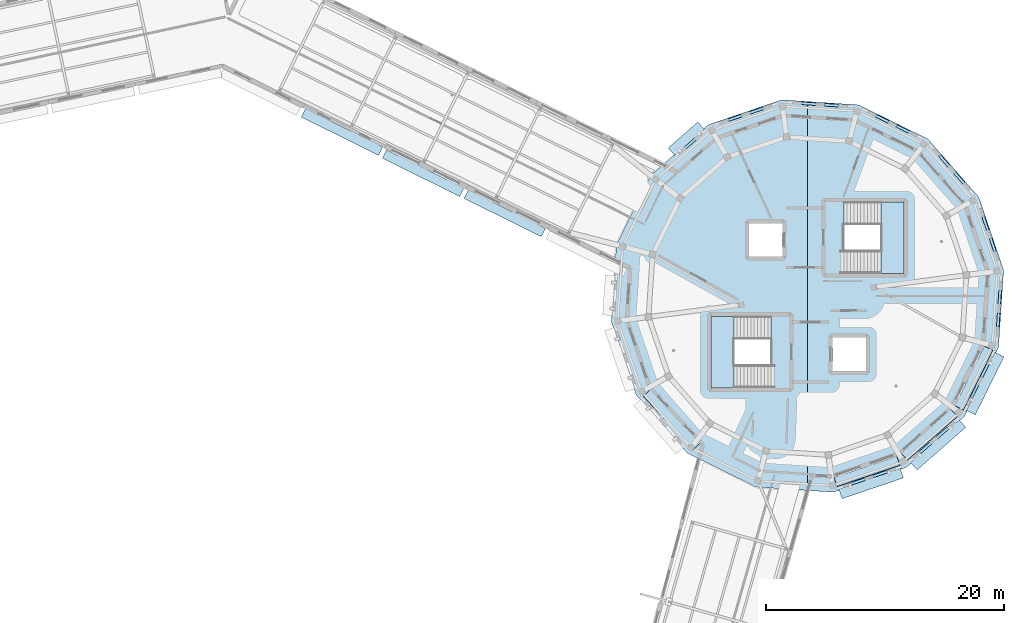
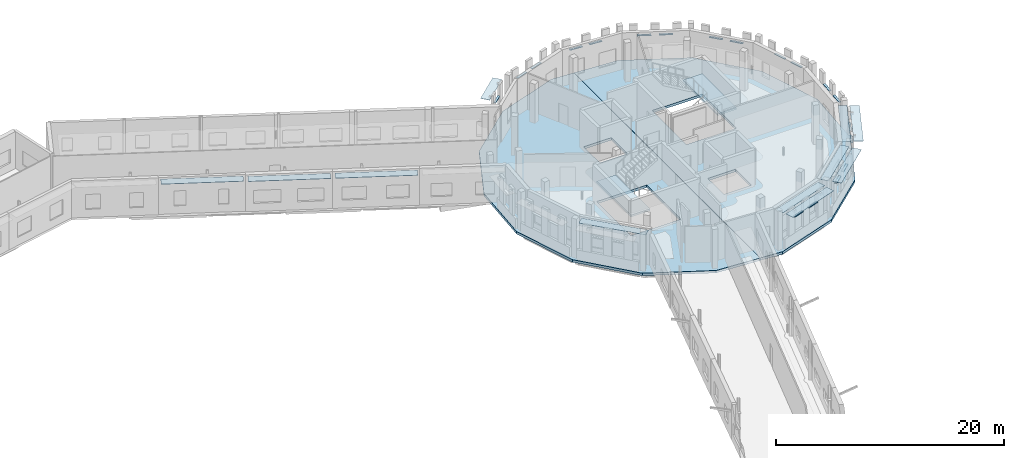
# One storey, part 36 of 90: 30 plates, 4 slabs, 2 elements without a shape of their own.
"""IFC4 building model written with IfcOpenShell, lengths in metres."""

import ifcopenshell
import ifcopenshell.guid

model = None  # the IFC model being written
_history = None  # IfcOwnerHistory: only IFC2X3 demands one
_inside = {}  # id of a spatial element -> (the spatial element, [elements in it])
_under = {}  # id of a project, library or spatial element -> (it, [spatial elements below it])
_declared = {}  # id of a project -> (the project, [libraries it declares])
_typed = {}  # id of a type object -> (the type object, [elements of that type])
_made_of = {}  # id of a material, layer set ... -> (it, [elements and type objects made of it])


def new_model(schema):
    """Start an empty IFC model of exactly this schema.

    Asked for "IFC4X3", IfcOpenShell would pick the latest addendum, in which some entities
    have other attributes; the version numbers below select the first issue.
    IFC2X3 requires an IfcOwnerHistory on every rooted entity: one is made here for all.
    """
    global model, _history
    if schema == "IFC4X3":
        model = ifcopenshell.file(schema_version=(4, 3, 0, 0))
    else:
        model = ifcopenshell.file(schema=schema)
    _inside.clear()
    _under.clear()
    _declared.clear()
    _typed.clear()
    _made_of.clear()
    _history = None
    if model.schema == "IFC2X3":
        org = make("IfcOrganization", Name="unknown")
        user = make(
            "IfcPersonAndOrganization",
            ThePerson=make("IfcPerson", FamilyName="unknown"),
            TheOrganization=org,
        )
        app = make(
            "IfcApplication",
            ApplicationDeveloper=org,
            Version="unknown",
            ApplicationFullName="unknown",
            ApplicationIdentifier="unknown",
        )
        _history = make(
            "IfcOwnerHistory",
            OwningUser=user,
            OwningApplication=app,
            ChangeAction="ADDED",
            CreationDate=0,
        )
    return model


def make(cls, **values):
    """One entity of the class cls with the attributes given. An attribute that is None is left unset."""
    return model.create_entity(
        cls, **{name: value for name, value in values.items() if value is not None}
    )


def rooted(cls, **values):
    """An entity with a GlobalId (a new one), such as an element, a storey or a relation."""
    return make(cls, GlobalId=ifcopenshell.guid.new(), OwnerHistory=_history, **values)


def si_unit(unit_type, name, prefix=None):
    """IfcSIUnit, for example si_unit("LENGTHUNIT", "METRE", prefix="MILLI")."""
    return make("IfcSIUnit", UnitType=unit_type, Prefix=prefix, Name=name)


def assignment(units):
    """IfcUnitAssignment: the units of a project."""
    return None if units is None else make("IfcUnitAssignment", Units=units)


def point(xyz):
    """IfcCartesianPoint."""
    return None if xyz is None else make("IfcCartesianPoint", Coordinates=xyz)


def direction(xyz):
    """IfcDirection."""
    return None if xyz is None else make("IfcDirection", DirectionRatios=xyz)


def frame(location, z_axis=None, x_axis=None):
    """IfcAxis2Placement3D, a coordinate frame: its origin and axes. An axis left out is left unset."""
    return make(
        "IfcAxis2Placement3D",
        Location=point(location),
        Axis=direction(z_axis),
        RefDirection=direction(x_axis),
    )


def frame_2d(location, x_axis=None):
    """IfcAxis2Placement2D, a coordinate frame in the plane: its origin and x axis."""
    return make(
        "IfcAxis2Placement2D", Location=point(location), RefDirection=direction(x_axis)
    )


def origin():
    """The frame at (0, 0, 0) with its axes left unset."""
    return frame((0.0, 0.0, 0.0))


def origin_2d():
    """The frame at (0, 0) in the plane with its x axis left unset."""
    return frame_2d((0.0, 0.0))


def place(relative_to, where):
    """IfcLocalPlacement: puts the frame where relative to a parent placement (None: the world)."""
    return make(
        "IfcLocalPlacement", PlacementRelTo=relative_to, RelativePlacement=where
    )


def context(
    kind, dimensions, precision=None, world=None, true_north=None, identifier=None
):
    """IfcGeometricRepresentationContext, for example the 3D "Model" context."""
    return make(
        "IfcGeometricRepresentationContext",
        ContextIdentifier=identifier,
        ContextType=kind,
        CoordinateSpaceDimension=dimensions,
        Precision=precision,
        WorldCoordinateSystem=world,
        TrueNorth=true_north,
    )


def subcontext(parent, identifier, kind, view, scale=None):
    """IfcGeometricRepresentationSubContext, for example "Body" below "Model"."""
    return make(
        "IfcGeometricRepresentationSubContext",
        ContextIdentifier=identifier,
        ContextType=kind,
        ParentContext=parent,
        TargetScale=scale,
        TargetView=view,
    )


def project(units=None, contexts=None):
    """IfcProject with its units and contexts."""
    return rooted(
        "IfcProject",
        Name="project",
        RepresentationContexts=contexts,
        UnitsInContext=assignment(units),
    )


def spatial(cls, under=None, at=None, **own):
    """A site, building, storey or space (cls), placed at a placement, below another one or the project."""
    s = rooted(cls, ObjectPlacement=at, **own)
    if under is not None:
        _under.setdefault(under.id(), (under, []))[1].append(s)
    return s


def polyline(points):
    """IfcPolyline through the points."""
    return make("IfcPolyline", Points=[point(p) for p in points])


def profile(cls, at=None, kind="AREA", **sizes):
    """A parametric profile (cls). Its sizes go by their IFC names, for example OverallWidth=200.0."""
    return make(cls, ProfileType=kind, Position=at, **sizes)


def rectangle(**sizes):
    """IfcRectangleProfileDef."""
    return profile("IfcRectangleProfileDef", **sizes)


def outline(outer, holes=None, kind="AREA"):
    """IfcArbitraryClosedProfileDef: a profile drawn as a closed curve; with holes, ...WithVoids."""
    if holes is None:
        return make("IfcArbitraryClosedProfileDef", ProfileType=kind, OuterCurve=outer)
    return make(
        "IfcArbitraryProfileDefWithVoids",
        ProfileType=kind,
        OuterCurve=outer,
        InnerCurves=holes,
    )


def extrude(swept, where, along, depth):
    """IfcExtrudedAreaSolid: the profile swept, set in the frame where, extruded along a direction by depth."""
    return make(
        "IfcExtrudedAreaSolid",
        SweptArea=swept,
        Position=where,
        ExtrudedDirection=direction(along),
        Depth=depth,
    )


def shape(context_of_items, identifier, shape_type, items):
    """IfcShapeRepresentation: the items that make up one representation, for example the "Body"."""
    return make(
        "IfcShapeRepresentation",
        ContextOfItems=context_of_items,
        RepresentationIdentifier=identifier,
        RepresentationType=shape_type,
        Items=items,
    )


def material(Name=None, Category=None):
    """IfcMaterial."""
    return make("IfcMaterial", Name=Name, Category=Category)


def layer(
    of_material, thickness, ventilated=None, Name=None, Category=None, Priority=None
):
    """IfcMaterialLayer: one layer of a wall or slab, of a material (None: an air gap)."""
    return make(
        "IfcMaterialLayer",
        Material=of_material,
        LayerThickness=thickness,
        IsVentilated=ventilated,
        Name=Name,
        Category=Category,
        Priority=Priority,
    )


def layer_set(layers, Name=None):
    """IfcMaterialLayerSet."""
    return make("IfcMaterialLayerSet", MaterialLayers=layers, LayerSetName=Name)


def made_of(thing, what):
    """Note that an element or type object is made of a material, layer set ...; save() writes the relation."""
    if what is not None:
        _made_of.setdefault(what.id(), (what, []))[1].append(thing)
    return thing


def type_object(cls, material=None, **own):
    """A type object (cls), such as IfcWallType, which elements share."""
    return made_of(rooted(cls, **own), material)


def element(
    cls,
    number,
    at=None,
    inside=None,
    cuts=None,
    type_object=None,
    material=None,
    context=None,
    identifier="Body",
    shape_type=None,
    held_by="IfcProductDefinitionShape",
    body=None,
    shapes=None,
    **own,
):
    """One element of the class cls, such as IfcWall. Its Tag is "e" and its number.

    at: its placement. inside: the storey or other place that contains it. cuts: it is an
    opening in that element (IfcRelVoidsElement). A single representation is given by context,
    identifier, shape_type and body (its items); several are given by shapes. held_by: the class
    of the entity that holds the representations. save() writes the other relations.
    """
    e = rooted(cls, Tag="e%d" % number, ObjectPlacement=at, **own)
    if body is not None:
        shapes = [shape(context, identifier, shape_type, body)]
    if shapes is not None:
        e.Representation = make(held_by, Representations=shapes)
    if inside is not None:
        _inside.setdefault(inside.id(), (inside, []))[1].append(e)
    if cuts is not None:
        rooted(
            "IfcRelVoidsElement", RelatingBuildingElement=cuts, RelatedOpeningElement=e
        )
    if type_object is not None:
        _typed.setdefault(type_object.id(), (type_object, []))[1].append(e)
    return made_of(e, material)


def aggregate(whole, parts):
    """IfcRelAggregates: a whole, such as a stair, and the parts it consists of."""
    return rooted("IfcRelAggregates", RelatingObject=whole, RelatedObjects=parts)


def save(model, path):
    """Write the relations noted so far, then the file.

    IfcRelAggregates (storeys below a building ...), IfcRelContainedInSpatialStructure (elements
    in a storey), IfcRelDefinesByType, IfcRelAssociatesMaterial and IfcRelDeclares: one each for
    every whole, place, type object, material and project.
    """
    for whole, parts in _under.values():
        aggregate(whole, parts)
    for where, things in _inside.values():
        rooted(
            "IfcRelContainedInSpatialStructure",
            RelatedElements=things,
            RelatingStructure=where,
        )
    for kind, things in _typed.values():
        rooted("IfcRelDefinesByType", RelatedObjects=things, RelatingType=kind)
    for what, things in _made_of.values():
        rooted("IfcRelAssociatesMaterial", RelatedObjects=things, RelatingMaterial=what)
    for by, libraries in _declared.values():
        rooted("IfcRelDeclares", RelatingContext=by, RelatedDefinitions=libraries)
    model.write(path)


model = new_model("IFC4")

# Units and contexts
model_context = context("Model", 3, precision=1e-05, world=origin(), true_north=direction((0.0, 1.0)))
body_context = subcontext(model_context, "Body", "Model", "MODEL_VIEW")
ifc_project = project(units=[si_unit("LENGTHUNIT", "METRE"), si_unit("AREAUNIT", "SQUARE_METRE"), si_unit("VOLUMEUNIT", "CUBIC_METRE"), si_unit("PLANEANGLEUNIT", "RADIAN"), si_unit("MASSUNIT", "GRAM", prefix="KILO")], contexts=[model_context])

# Site, building, storey
site_placement = place(None, origin())
site = spatial("IfcSite", under=ifc_project, at=site_placement, CompositionType="ELEMENT")
building_placement = place(site_placement, origin())
building = spatial("IfcBuilding", under=site, at=building_placement, Name="Wrenclough Park School", CompositionType="ELEMENT")
storey_placement = place(building_placement, frame((0.0, 0.0, 8.39990234375)))
storey = spatial("IfcBuildingStorey", under=building, at=storey_placement, Name="L02", CompositionType="ELEMENT", Elevation=8.39990234375)

# Plates
ifc_material_1 = material(Name="Anodised architectural aluminium solar shading fin plate", Category="aluminium")
ifc_layer_1 = layer(ifc_material_1, 0.0380859375)
ifc_layer_set_1 = layer_set([ifc_layer_1], Name="Anodised architectural aluminium solar shading fin plate")
plate_type = type_object("IfcPlateType", Name="ENV-PL-BSF", PredefinedType="SHEET", material=ifc_layer_set_1)
for number, where, z_axis, x_axis, name in (
    (1, (190.0537109375, 97.770751953125, 2.72216796875), (0.0, 0.0, 1.0), (-0.321440769485, 0.946929686784, 0.0), "D5 L02 open-bond brick screen tie band 0433"),
    (2, (189.439453125, 99.580078125, 2.72216796875), (0.0, 0.0, 1.0), (-0.321440769485, 0.946929686784, 0.0), "D5 L02 open-bond brick screen tie band 0434"),
    (3, (187.235595703125, 103.397705078125, 2.72216796875), (0.0, 0.0, 1.0), (-0.659344063222, 0.751841343831, 0.0), "D5 L02 open-bond brick screen tie band 0435"),
    (4, (185.9755859375, 104.833984375, 2.72216796875), (0.0, 0.0, 1.0), (-0.659344063222, 0.751841343831, 0.0), "D5 L02 open-bond brick screen tie band 0436"),
):
    element("IfcPlate", number, at=place(storey_placement, frame(where, z_axis=z_axis, x_axis=x_axis)), inside=storey, type_object=plate_type, Name=name, PredefinedType="SHEET", context=body_context, shape_type="SweptSolid", body=[
        extrude(rectangle(XDim=1.20068359375, YDim=0.219970703125, at=origin_2d()), origin(), (0.0, 0.0, 1.0), 0.0419921875),
    ])
for number, where, z_axis, x_axis, name in (
    (5, (182.478515625, 107.517822265625, 2.72216796875), (0.0, 0.0, 1.0), (-0.896873145411, 0.442287871234, 0.0), "D5 L02 open-bond brick screen tie band 0437"),
    (6, (180.7646484375, 108.363037109375, 2.72216796875), (0.0, 0.0, 1.0), (-0.896873145411, 0.442287871234, 0.0), "D5 L02 open-bond brick screen tie band 0438"),
):
    element("IfcPlate", number, at=place(storey_placement, frame(where, z_axis=z_axis, x_axis=x_axis)), inside=storey, type_object=plate_type, Name=name, PredefinedType="SHEET", context=body_context, shape_type="SweptSolid", body=[
        extrude(rectangle(XDim=1.200927734375, YDim=0.219970703125, at=origin_2d()), origin(), (0.0, 0.0, 1.0), 0.0419921875),
    ])
for number, where, z_axis, x_axis, name in (
    (7, (176.50634765625, 109.504150390625, 2.72216796875), (0.0, 0.0, 1.0), (-0.997858031898, 0.065416727037, 0.0), "D5 L02 open-bond brick screen tie band 0439"),
    (8, (174.599609375, 109.629150390625, 2.72216796875), (0.0, 0.0, 1.0), (-0.997858031898, 0.065416727037, 0.0), "D5 L02 open-bond brick screen tie band 0440"),
    (9, (170.229248046875, 109.0537109375, 2.72216796875), (0.0, 0.0, 1.0), (-0.946929686784, -0.321440769485, 0.0), "D5 L02 open-bond brick screen tie band 0441"),
    (10, (168.419921875, 108.439453125, 2.72216796875), (0.0, 0.0, 1.0), (-0.946929686784, -0.321440769485, 0.0), "D5 L02 open-bond brick screen tie band 0442"),
):
    element("IfcPlate", number, at=place(storey_placement, frame(where, z_axis=z_axis, x_axis=x_axis)), inside=storey, type_object=plate_type, Name=name, PredefinedType="SHEET", context=body_context, shape_type="SweptSolid", body=[
        extrude(rectangle(XDim=1.20068359375, YDim=0.219970703125, at=origin_2d()), origin(), (0.0, 0.0, 1.0), 0.0419921875),
    ])
plate_1_placement = place(storey_placement, frame((164.680419921875, 106.3037109375, 2.72216796875), z_axis=(0.0, 0.0, 1.0), x_axis=(-0.751840924352, -0.659344541549, 0.0)))
element("IfcPlate", 11, at=plate_1_placement, inside=storey, type_object=plate_type, Name="D5 L02 open-bond brick screen tie band 0443", PredefinedType="SHEET", context=body_context, shape_type="SweptSolid", body=[
    extrude(rectangle(XDim=1.09814453125, YDim=0.219970703125, at=origin_2d()), origin(), (0.0, 0.0, 1.0), 0.0419921875),
])
plate_2_placement = place(storey_placement, frame((164.339111328125, 106.69287109375, 3.701171875), z_axis=(0.0, 0.0, 1.0), x_axis=(-0.751840924352, -0.659344541549, 0.0)))
element("IfcPlate", 12, at=plate_2_placement, inside=storey, type_object=plate_type, Name="D5 L02 sun-side projecting brise-soleil blade 0072", PredefinedType="SHEET", context=body_context, shape_type="SweptSolid", body=[
    extrude(rectangle(XDim=3.314208984375, YDim=0.85009765625, at=origin_2d()), origin(), (0.0, 0.0, 1.0), 0.0380859375),
])
for number, where, z_axis, x_axis, name in (
    (13, (178.770751953125, 77.9462890625, 2.72216796875), (0.0, 0.0, 1.0), (0.946929686784, 0.321440769485, 0.0), "D5 L02 open-bond brick screen tie band 0449"),
    (14, (180.580078125, 78.560546875, 2.72216796875), (0.0, 0.0, 1.0), (0.946929686784, 0.321440769485, 0.0), "D5 L02 open-bond brick screen tie band 0450"),
):
    element("IfcPlate", number, at=place(storey_placement, frame(where, z_axis=z_axis, x_axis=x_axis)), inside=storey, type_object=plate_type, Name=name, PredefinedType="SHEET", context=body_context, shape_type="SweptSolid", body=[
        extrude(rectangle(XDim=1.20068359375, YDim=0.219970703125, at=origin_2d()), origin(), (0.0, 0.0, 1.0), 0.0419921875),
    ])
plate_3_placement = place(storey_placement, frame((179.841796875, 77.763427734375, 3.701171875), z_axis=(0.0, 0.0, 1.0), x_axis=(0.946929686784, 0.321440769485, 0.0)))
element("IfcPlate", 15, at=plate_3_placement, inside=storey, type_object=plate_type, Name="D5 L02 sun-side projecting brise-soleil blade 0076", PredefinedType="SHEET", context=body_context, shape_type="SweptSolid", body=[
    extrude(rectangle(XDim=5.432373046875, YDim=0.85009765625, at=origin_2d()), origin(), (0.0, 0.0, 1.0), 0.0380859375),
])
for number, where, z_axis, x_axis, name in (
    (16, (184.397705078125, 80.764404296875, 2.72216796875), (0.0, 0.0, 1.0), (0.751841343831, 0.659344063222, 0.0), "D5 L02 open-bond brick screen tie band 0451"),
    (17, (185.833984375, 82.0244140625, 2.72216796875), (0.0, 0.0, 1.0), (0.751841343831, 0.659344063222, 0.0), "D5 L02 open-bond brick screen tie band 0452"),
):
    element("IfcPlate", number, at=place(storey_placement, frame(where, z_axis=z_axis, x_axis=x_axis)), inside=storey, type_object=plate_type, Name=name, PredefinedType="SHEET", context=body_context, shape_type="SweptSolid", body=[
        extrude(rectangle(XDim=1.20068359375, YDim=0.219970703125, at=origin_2d()), origin(), (0.0, 0.0, 1.0), 0.0419921875),
    ])
plate_4_placement = place(storey_placement, frame((185.45703125, 81.00537109375, 3.701171875), z_axis=(0.0, 0.0, 1.0), x_axis=(0.751841343831, 0.659344063222, 0.0)))
element("IfcPlate", 18, at=plate_4_placement, inside=storey, type_object=plate_type, Name="D5 L02 sun-side projecting brise-soleil blade 0077", PredefinedType="SHEET", context=body_context, shape_type="SweptSolid", body=[
    extrude(rectangle(XDim=5.43212890625, YDim=0.85009765625, at=origin_2d()), origin(), (0.0, 0.0, 1.0), 0.0380859375),
])
for number, where, z_axis, x_axis, name in (
    (19, (188.517822265625, 85.521484375, 2.72216796875), (0.0, 0.0, 1.0), (0.442287871234, 0.896873145411, 0.0), "D5 L02 open-bond brick screen tie band 0453"),
    (20, (189.363037109375, 87.2353515625, 2.72216796875), (0.0, 0.0, 1.0), (0.442287871234, 0.896873145411, 0.0), "D5 L02 open-bond brick screen tie band 0454"),
):
    element("IfcPlate", number, at=place(storey_placement, frame(where, z_axis=z_axis, x_axis=x_axis)), inside=storey, type_object=plate_type, Name=name, PredefinedType="SHEET", context=body_context, shape_type="SweptSolid", body=[
        extrude(rectangle(XDim=1.200927734375, YDim=0.219970703125, at=origin_2d()), origin(), (0.0, 0.0, 1.0), 0.0419921875),
    ])
plate_5_placement = place(storey_placement, frame((189.404541015625, 86.149658203125, 3.701171875), z_axis=(0.0, 0.0, 1.0), x_axis=(0.442287871234, 0.896873145411, 0.0)))
element("IfcPlate", 21, at=plate_5_placement, inside=storey, type_object=plate_type, Name="D5 L02 sun-side projecting brise-soleil blade 0078", PredefinedType="SHEET", context=body_context, shape_type="SweptSolid", body=[
    extrude(rectangle(XDim=5.432861328125, YDim=0.85009765625, at=origin_2d()), origin(), (0.0, 0.0, 1.0), 0.0380859375),
])
for number, where, z_axis, x_axis, name in (
    (22, (190.504150390625, 91.49365234375, 2.72216796875), (0.0, 0.0, 1.0), (0.065416727037, 0.997858031898, 0.0), "D5 L02 open-bond brick screen tie band 0455"),
    (23, (190.629150390625, 93.400390625, 2.72216796875), (0.0, 0.0, 1.0), (0.065416727037, 0.997858031898, 0.0), "D5 L02 open-bond brick screen tie band 0456"),
):
    element("IfcPlate", number, at=place(storey_placement, frame(where, z_axis=z_axis, x_axis=x_axis)), inside=storey, type_object=plate_type, Name=name, PredefinedType="SHEET", context=body_context, shape_type="SweptSolid", body=[
        extrude(rectangle(XDim=1.20068359375, YDim=0.219970703125, at=origin_2d()), origin(), (0.0, 0.0, 1.0), 0.0419921875),
    ])
plate_6_placement = place(storey_placement, frame((163.10498046875, 83.118408203125, 3.720947265625), z_axis=(0.0, 0.0, 1.0), x_axis=(-0.680216168057, 0.733011572019, 0.0)))
element("IfcPlate", 24, at=plate_6_placement, inside=storey, type_object=plate_type, Name="L02 link wing sun-side brise-soleil blade 0172", PredefinedType="SHEET", context=body_context, shape_type="SweptSolid", body=[
    extrude(rectangle(XDim=6.14794921875, YDim=0.800048828125, at=origin_2d()), origin(), (0.0, 0.0, 1.0), 0.0380859375),
])
plate_7_placement = place(storey_placement, frame((149.1142578125, 100.427490234375, 3.720947265625), z_axis=(0.0, 0.0, 1.0), x_axis=(-0.896270371992, 0.44350808368, 0.0)))
element("IfcPlate", 25, at=plate_7_placement, inside=storey, type_object=plate_type, Name="L02 link wing sun-side brise-soleil blade 0174", PredefinedType="SHEET", context=body_context, shape_type="SweptSolid", body=[
    extrude(rectangle(XDim=7.23974609375, YDim=0.800048828125, at=origin_2d()), origin(), (0.0, 0.0, 1.0), 0.0380859375),
])
plate_8_placement = place(storey_placement, frame((142.261474609375, 103.8046875, 3.720947265625), z_axis=(0.0, 0.0, 1.0), x_axis=(-0.896267743622, 0.443513395224, 0.0)))
element("IfcPlate", 26, at=plate_8_placement, inside=storey, type_object=plate_type, Name="L02 link wing sun-side brise-soleil blade 0175", PredefinedType="SHEET", context=body_context, shape_type="SweptSolid", body=[
    extrude(rectangle(XDim=7.239990234375, YDim=0.800048828125, at=origin_2d()), origin(), (0.0, 0.0, 1.0), 0.0380859375),
])
plate_9_placement = place(storey_placement, frame((135.447509765625, 107.26025390625, 3.720947265625), z_axis=(0.0, 0.0, 1.0), x_axis=(-0.896270371992, 0.44350808368, 0.0)))
element("IfcPlate", 27, at=plate_9_placement, inside=storey, type_object=plate_type, Name="L02 link wing sun-side brise-soleil blade 0176", PredefinedType="SHEET", context=body_context, shape_type="SweptSolid", body=[
    extrude(rectangle(XDim=7.23974609375, YDim=0.800048828125, at=origin_2d()), origin(), (0.0, 0.0, 1.0), 0.0380859375),
])
plate_10_placement = place(storey_placement, frame((188.461181640625, 86.614990234375, 3.720947265625), z_axis=(0.0, 0.0, 1.0), x_axis=(-0.442308565335, -0.896862939936, 0.0)))
element("IfcPlate", 28, at=plate_10_placement, inside=storey, type_object=plate_type, Name="L02 link wing sun-side brise-soleil blade 0187", PredefinedType="SHEET", context=body_context, shape_type="SweptSolid", body=[
    extrude(rectangle(XDim=5.561279296875, YDim=0.800048828125, at=origin_2d()), origin(), (0.0, 0.0, 1.0), 0.0380859375),
])
plate_11_placement = place(storey_placement, frame((184.71435546875, 81.852783203125, 3.720947265625), z_axis=(0.0, 0.0, 1.0), x_axis=(-0.751827974808, -0.659359307432, 0.0)))
element("IfcPlate", 29, at=plate_11_placement, inside=storey, type_object=plate_type, Name="L02 link wing sun-side brise-soleil blade 0188", PredefinedType="SHEET", context=body_context, shape_type="SweptSolid", body=[
    extrude(rectangle(XDim=5.560791015625, YDim=0.800048828125, at=origin_2d()), origin(), (0.0, 0.0, 1.0), 0.0380859375),
])
plate_12_placement = place(storey_placement, frame((179.494140625, 78.787841796875, 3.720947265625), z_axis=(0.0, 0.0, 1.0), x_axis=(-0.946932754011, -0.321431733625, 0.0)))
element("IfcPlate", 30, at=plate_12_placement, inside=storey, type_object=plate_type, Name="L02 link wing sun-side brise-soleil blade 0189", PredefinedType="SHEET", context=body_context, shape_type="SweptSolid", body=[
    extrude(rectangle(XDim=5.56103515625, YDim=0.800048828125, at=origin_2d()), origin(), (0.0, 0.0, 1.0), 0.0380859375),
])

# Stair, slab
ifc_material_2 = material(Name="Precast concrete C40/50", Category="concrete")
stair_type = type_object("IfcStairType", Name="INT-ST-190-42", PredefinedType="HALF_TURN_STAIR", material=ifc_material_2)
stair_1_placement = place(storey_placement, origin())
stair_1 = element("IfcStair", 31, at=stair_1_placement, inside=storey, type_object=stair_type, Name="L02 escape stair ST-05", PredefinedType="HALF_TURN_STAIR")
ifc_layer_2 = layer(ifc_material_2, 0.195068359375)
ifc_layer_set_2 = layer_set([ifc_layer_2], Name="Precast concrete C40/50")
slab_type_1 = type_object("IfcSlabType", Name="INT-SL-LAND195", PredefinedType="LANDING", material=ifc_layer_set_2)
slab_1_placement = place(storey_placement, frame((0.0, 0.0, 1.989013671875)))
slab_1 = element("IfcSlab", 32, at=slab_1_placement, type_object=slab_type_1, Name="ST-05 landing 1", PredefinedType="LANDING", context=body_context, shape_type="SweptSolid", body=[
    extrude(outline(polyline([(166.39990234375, 85.800048828125), (168.322998046875, 85.800048828125), (168.322998046875, 91.800048828125), (166.39990234375, 91.800048828125), (166.39990234375, 85.800048828125)])), origin(), (0.0, 0.0, 1.0), 0.195068359375),
])
aggregate(stair_1, [slab_1])

stair_2_placement = place(storey_placement, origin())
stair_2 = element("IfcStair", 33, at=stair_2_placement, inside=storey, type_object=stair_type, Name="L02 escape stair ST-06", PredefinedType="HALF_TURN_STAIR")
slab_2_placement = place(storey_placement, frame((0.0, 0.0, 1.989013671875)))
slab_2 = element("IfcSlab", 34, at=slab_2_placement, type_object=slab_type_1, Name="ST-06 landing 1", PredefinedType="LANDING", context=body_context, shape_type="SweptSolid", body=[
    extrude(outline(polyline([(180.677001953125, 95.39990234375), (182.60009765625, 95.39990234375), (182.60009765625, 101.39990234375), (180.677001953125, 101.39990234375), (180.677001953125, 95.39990234375)])), origin(), (0.0, 0.0, 1.0), 0.195068359375),
])
aggregate(stair_2, [slab_2])

# Slabs
ifc_material_3 = material(Name="Concrete C35/45", Category="concrete")
ifc_layer_3 = layer(ifc_material_3, 0.264892578125)
ifc_layer_set_3 = layer_set([ifc_layer_3], Name="Concrete C35/45")
slab_type_2 = type_object("IfcSlabType", Name="STR-SL-FL265", PredefinedType="FLOOR", material=ifc_layer_set_3)
slab_3_placement = place(storey_placement, frame((0.0, 0.0, -0.264892578125)))
element("IfcSlab", 35, at=slab_3_placement, inside=storey, type_object=slab_type_2, Name="D5 L02 structural slab SLAB-D5-L02-W", PredefinedType="FLOOR", context=body_context, shape_type="SweptSolid", body=[
    extrude(outline(polyline([(170.20361328125, 77.465576171875), (174.493896484375, 77.184326171875), (174.493896484375, 109.81640625), (172.333251953125, 109.9580078125), (166.199951171875, 107.8759765625), (161.330322265625, 103.60546875), (158.465576171875, 97.79638671875), (158.0419921875, 91.333251953125), (160.1240234375, 85.199951171875), (164.39453125, 80.330322265625), (170.20361328125, 77.465576171875)]), holes=[polyline([(166.39990234375, 85.800048828125), (171.451904296875, 85.800048828125), (171.451904296875, 91.800048828125), (166.39990234375, 91.800048828125), (166.39990234375, 85.800048828125)]), polyline([(169.60009765625, 96.800048828125), (172.39990234375, 96.800048828125), (172.39990234375, 99.60009765625), (169.60009765625, 99.60009765625), (169.60009765625, 96.800048828125)])]), origin(), (0.0, 0.0, 1.0), 0.264892578125),
])
slab_4_placement = place(storey_placement, frame((0.0, 0.0, -0.264892578125)))
element("IfcSlab", 36, at=slab_4_placement, inside=storey, type_object=slab_type_2, Name="D5 L02 structural slab SLAB-D5-L02-E", PredefinedType="FLOOR", context=body_context, shape_type="SweptSolid", body=[
    extrude(outline(polyline([(178.79638671875, 109.534423828125), (174.506103515625, 109.815673828125), (174.506103515625, 77.18359375), (176.666748046875, 77.0419921875), (182.800048828125, 79.1240234375), (187.669677734375, 83.39453125), (190.534423828125, 89.20361328125), (190.9580078125, 95.666748046875), (188.8759765625, 101.800048828125), (184.60546875, 106.669677734375), (178.79638671875, 109.534423828125)]), holes=[polyline([(176.60009765625, 87.199951171875), (179.39990234375, 87.199951171875), (179.39990234375, 90.0), (176.60009765625, 90.0), (176.60009765625, 87.199951171875)]), polyline([(177.548095703125, 95.39990234375), (182.60009765625, 95.39990234375), (182.60009765625, 101.39990234375), (177.548095703125, 101.39990234375), (177.548095703125, 95.39990234375)])]), origin(), (0.0, 0.0, 1.0), 0.264892578125),
])

save(model, "model.ifc")
